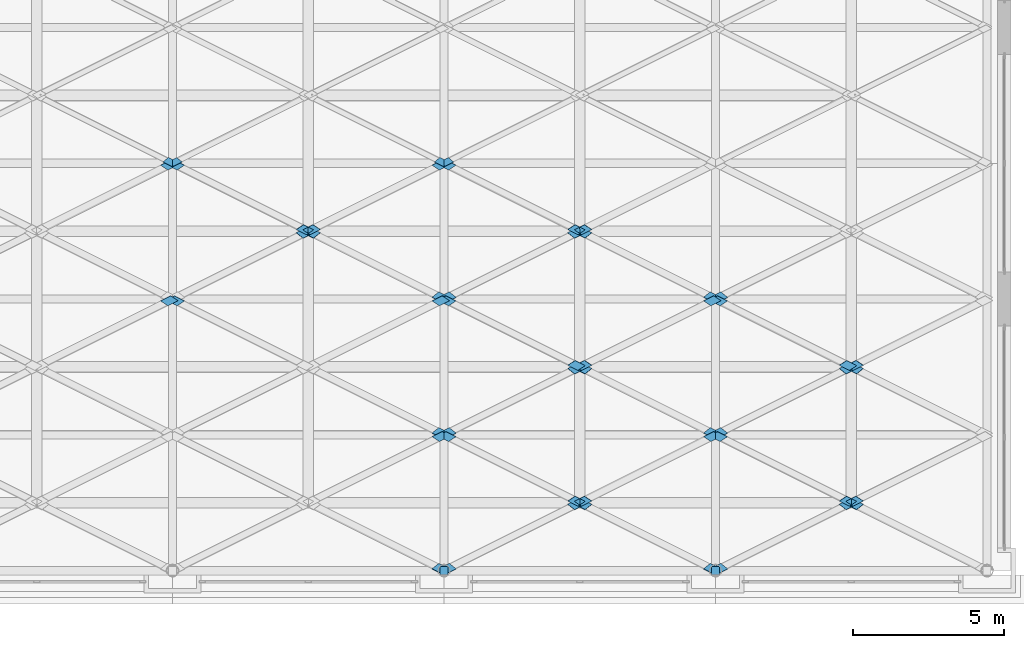
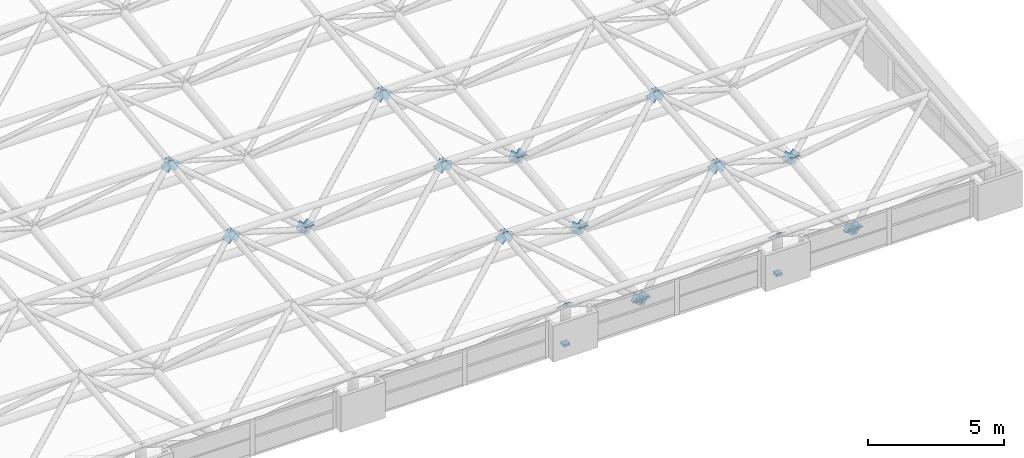
# One storey, part 44 of 53: 56 discrete accessories.
"""IFC4 building model written with IfcOpenShell, lengths in metres."""

from ifc_helpers import new_model, si_unit, direction, frame, origin, origin_2d, place, context, subcontext, project, spatial, polyline, rectangle, outline, extrude, material, layer, layer_set, type_object, element, save


model = new_model("IFC4")

# Units and contexts
model_context = context("Model", 3, precision=1e-05, world=origin(), true_north=direction((0.0, 1.0)))
body_context = subcontext(model_context, "Body", "Model", "MODEL_VIEW")
ifc_project = project(units=[si_unit("LENGTHUNIT", "METRE"), si_unit("AREAUNIT", "SQUARE_METRE"), si_unit("VOLUMEUNIT", "CUBIC_METRE"), si_unit("PLANEANGLEUNIT", "RADIAN"), si_unit("MASSUNIT", "GRAM", prefix="KILO")], contexts=[model_context])

# Site, building, storey
site_placement = place(None, origin())
site = spatial("IfcSite", under=ifc_project, at=site_placement, CompositionType="ELEMENT")
building_placement = place(site_placement, origin())
building = spatial("IfcBuilding", under=site, at=building_placement, Name="Aravalli Gate Trade Fair Centre", CompositionType="ELEMENT")
storey_placement = place(building_placement, frame((0.0, 0.0, 25.199951171875)))
storey = spatial("IfcBuildingStorey", under=building, at=storey_placement, Name="ROOF LEVEL 2", CompositionType="ELEMENT", Elevation=25.199951171875)

# Discrete accessories
ifc_material = material(Name="Steel E350", Category="steel")
discrete_accessory_type_1 = type_object("IfcDiscreteAccessoryType", Name="Bearing shoe fixed", PredefinedType="BRACKET", material=ifc_material)
for number, where, z_axis, x_axis, name in (
    (1, (87.0, 46.0, 0.0), (0.0, 0.0, 1.0), (1.0, 0.0, 0.0), "Bearing shoe A10 (fixed)"),
    (2, (96.0, 46.0, 0.0), (0.0, 0.0, 1.0), (1.0, 0.0, 0.0), "Bearing shoe A11 (fixed)"),
):
    element("IfcDiscreteAccessory", number, at=place(storey_placement, frame(where, z_axis=z_axis, x_axis=x_axis)), inside=storey, type_object=discrete_accessory_type_1, Name=name, PredefinedType="BRACKET", context=body_context, shape_type="SweptSolid", body=[
        extrude(rectangle(XDim=0.260009765625, YDim=0.260009765625, at=origin_2d()), origin(), (0.0, 0.0, 1.0), 0.10009765625),
    ])
ifc_layer_1 = layer(ifc_material, 0.011962890625)
ifc_layer_set_1 = layer_set([ifc_layer_1], Name="Steel E350")
discrete_accessory_type_2 = type_object("IfcDiscreteAccessoryType", Name="Gusset plate 291 x 291 x 12", PredefinedType="USERDEFINED", material=ifc_layer_set_1)
for number, where, z_axis, x_axis, name in (
    (3, (78.138916015625, 59.691650390625, 2.92724609375), (-6.9765199e-05, 0.771154883137, 0.636647580178), (-0.786484474244, -0.393242254842, 0.476238071536), "Gusset plate Space frame web diagonal D2A end A"),
    (4, (87.138916015625, 59.691650390625, 2.92724609375), (-6.9765199e-05, 0.771154883137, 0.636647580178), (-0.786484474244, -0.393242254842, 0.476238071536), "Gusset plate Space frame web diagonal D2A end A"),
):
    element("IfcDiscreteAccessory", number, at=place(storey_placement, frame(where, z_axis=z_axis, x_axis=x_axis)), inside=storey, type_object=discrete_accessory_type_2, Name=name, ObjectType="GUSSET PLATE", PredefinedType="USERDEFINED", context=body_context, shape_type="SweptSolid", body=[
        extrude(outline(polyline([(0.0, 0.0), (0.37064165383501635, -1.3877787807814457e-17), (0.3706783195979393, 0.29059144692340316), (0.00022867857401766278, 0.2904406632211646), (0.0, 0.0)])), origin(), (0.0, 0.0, -1.0), 0.011962890625),
    ])
for number, where, z_axis, x_axis, name in (
    (5, (77.681884765625, 59.546142578125, 3.103515625), (6.9765199e-05, 0.771154883137, 0.636647580178), (0.786233023991, -0.393446013556, 0.476484906794), "Gusset plate Space frame web diagonal D2B end A"),
    (6, (86.681884765625, 59.546142578125, 3.103515625), (6.9765199e-05, 0.771154883137, 0.636647580178), (0.786233023991, -0.393446013556, 0.476484906794), "Gusset plate Space frame web diagonal D2B end A"),
):
    element("IfcDiscreteAccessory", number, at=place(storey_placement, frame(where, z_axis=z_axis, x_axis=x_axis)), inside=storey, type_object=discrete_accessory_type_2, Name=name, ObjectType="GUSSET PLATE", PredefinedType="USERDEFINED", context=body_context, shape_type="SweptSolid", body=[
        extrude(outline(polyline([(0.0, 0.0), (0.37044967171058096, 2.7755575615628914e-17), (0.3702947268495056, 0.290591407927876), (-0.0003468962829482891, 0.29044054608337494), (0.0, 0.0)])), origin(), (0.0, 0.0, -1.0), 0.011962890625),
    ])
ifc_layer_2 = layer(ifc_material, 0.011962890625)
ifc_layer_set_2 = layer_set([ifc_layer_2], Name="Steel E350")
discrete_accessory_type_3 = type_object("IfcDiscreteAccessoryType", Name="Gusset plate 367 x 367 x 12", PredefinedType="USERDEFINED", material=ifc_layer_set_2)
discrete_accessory_1_placement = place(storey_placement, frame((87.173095703125, 46.23876953125, 1.51513671875), z_axis=(-0.000106895173, 0.77673595722, 0.629826358082), x_axis=(-0.783044443413, -0.391795440284, 0.483050445204)))
element("IfcDiscreteAccessory", 7, at=discrete_accessory_1_placement, inside=storey, type_object=discrete_accessory_type_3, Name="Gusset plate Space frame web diagonal D1A end A", ObjectType="GUSSET PLATE", PredefinedType="USERDEFINED", context=body_context, shape_type="SweptSolid", body=[
    extrude(outline(polyline([(0.0, 0.0), (0.4467862821424865, 0.0), (0.4467086389724838, 0.36691841645657763), (-7.764317000273635e-05, 0.36691841645657763), (0.0, 0.0)])), origin(), (0.0, 0.0, -1.0), 0.011962890625),
])
discrete_accessory_2_placement = place(storey_placement, frame((91.0986328125, 48.201416015625, -0.905517578125), z_axis=(-0.000106895173, 0.77673595722, 0.629826358082), x_axis=(0.783044443413, 0.391795440284, -0.483050445204)))
element("IfcDiscreteAccessory", 8, at=discrete_accessory_2_placement, inside=storey, type_object=discrete_accessory_type_3, Name="Gusset plate Space frame web diagonal D1A end B", ObjectType="GUSSET PLATE", PredefinedType="USERDEFINED", context=body_context, shape_type="SweptSolid", body=[
    extrude(outline(polyline([(0.0, 0.0), (0.4467862821424865, 0.0), (0.4468639253124893, -0.3669184164565776), (7.764317000273635e-05, -0.36691841645657763), (0.0, 0.0)])), origin(), (0.0, 0.0, -1.0), 0.011962890625),
])
discrete_accessory_3_placement = place(storey_placement, frame((96.173095703125, 46.23876953125, 1.51513671875), z_axis=(-0.000106895173, 0.77673595722, 0.629826358082), x_axis=(-0.783044443413, -0.391795440284, 0.483050445204)))
element("IfcDiscreteAccessory", 9, at=discrete_accessory_3_placement, inside=storey, type_object=discrete_accessory_type_3, Name="Gusset plate Space frame web diagonal D1A end A", ObjectType="GUSSET PLATE", PredefinedType="USERDEFINED", context=body_context, shape_type="SweptSolid", body=[
    extrude(outline(polyline([(0.0, 0.0), (0.4467862821424865, 0.0), (0.4467086389724838, 0.36691841645657763), (-7.764317000273635e-05, 0.36691841645657763), (0.0, 0.0)])), origin(), (0.0, 0.0, -1.0), 0.011962890625),
])
discrete_accessory_4_placement = place(storey_placement, frame((100.0986328125, 48.201416015625, -0.905517578125), z_axis=(-0.000106895173, 0.77673595722, 0.629826358082), x_axis=(0.783044443413, 0.391795440284, -0.483050445204)))
element("IfcDiscreteAccessory", 10, at=discrete_accessory_4_placement, inside=storey, type_object=discrete_accessory_type_3, Name="Gusset plate Space frame web diagonal D1A end B", ObjectType="GUSSET PLATE", PredefinedType="USERDEFINED", context=body_context, shape_type="SweptSolid", body=[
    extrude(outline(polyline([(0.0, 0.0), (0.4467862821424865, 0.0), (0.4468639253124893, -0.3669184164565776), (7.764317000273635e-05, -0.36691841645657763), (0.0, 0.0)])), origin(), (0.0, 0.0, -1.0), 0.011962890625),
])
discrete_accessory_5_placement = place(storey_placement, frame((87.173095703125, 50.73876953125, 1.965087890625), z_axis=(-0.000106895173, 0.77673595722, 0.629826358082), x_axis=(-0.783044443413, -0.391795440284, 0.483050445204)))
element("IfcDiscreteAccessory", 11, at=discrete_accessory_5_placement, inside=storey, type_object=discrete_accessory_type_3, Name="Gusset plate Space frame web diagonal D1A end A", ObjectType="GUSSET PLATE", PredefinedType="USERDEFINED", context=body_context, shape_type="SweptSolid", body=[
    extrude(outline(polyline([(0.0, 0.0), (0.4467862821424865, 0.0), (0.4467086389724838, 0.36691841645657763), (-7.764317000273635e-05, 0.36691841645657763), (0.0, 0.0)])), origin(), (0.0, 0.0, -1.0), 0.011962890625),
])
discrete_accessory_6_placement = place(storey_placement, frame((91.0986328125, 52.701416015625, -0.45556640625), z_axis=(-0.000106895173, 0.77673595722, 0.629826358082), x_axis=(0.783044443413, 0.391795440284, -0.483050445204)))
element("IfcDiscreteAccessory", 12, at=discrete_accessory_6_placement, inside=storey, type_object=discrete_accessory_type_3, Name="Gusset plate Space frame web diagonal D1A end B", ObjectType="GUSSET PLATE", PredefinedType="USERDEFINED", context=body_context, shape_type="SweptSolid", body=[
    extrude(outline(polyline([(0.0, 0.0), (0.4467862821424865, 0.0), (0.4468639253124893, -0.3669184164565776), (7.764317000273635e-05, -0.36691841645657763), (0.0, 0.0)])), origin(), (0.0, 0.0, -1.0), 0.011962890625),
])
discrete_accessory_7_placement = place(storey_placement, frame((96.173095703125, 50.73876953125, 1.965087890625), z_axis=(-0.000106895173, 0.77673595722, 0.629826358082), x_axis=(-0.783044443413, -0.391795440284, 0.483050445204)))
element("IfcDiscreteAccessory", 13, at=discrete_accessory_7_placement, inside=storey, type_object=discrete_accessory_type_3, Name="Gusset plate Space frame web diagonal D1A end A", ObjectType="GUSSET PLATE", PredefinedType="USERDEFINED", context=body_context, shape_type="SweptSolid", body=[
    extrude(outline(polyline([(0.0, 0.0), (0.4467862821424865, 0.0), (0.4467086389724838, 0.36691841645657763), (-7.764317000273635e-05, 0.36691841645657763), (0.0, 0.0)])), origin(), (0.0, 0.0, -1.0), 0.011962890625),
])
for number, where, z_axis, x_axis, name in (
    (14, (100.0986328125, 52.701416015625, -0.45556640625), (-0.000106895173, 0.77673595722, 0.629826358082), (0.783044443413, 0.391795440284, -0.483050445204), "Gusset plate Space frame web diagonal D1A end B"),
    (15, (82.0986328125, 57.201416015625, -0.005615234375), (-0.000106895173, 0.77673595722, 0.629826358082), (0.783044443413, 0.391795440284, -0.483050445204), "Gusset plate Space frame web diagonal D1A end B"),
):
    element("IfcDiscreteAccessory", number, at=place(storey_placement, frame(where, z_axis=z_axis, x_axis=x_axis)), inside=storey, type_object=discrete_accessory_type_3, Name=name, ObjectType="GUSSET PLATE", PredefinedType="USERDEFINED", context=body_context, shape_type="SweptSolid", body=[
        extrude(outline(polyline([(0.0, 0.0), (0.4467862821424865, 0.0), (0.4468639253124893, -0.3669184164565776), (7.764317000273635e-05, -0.36691841645657763), (0.0, 0.0)])), origin(), (0.0, 0.0, -1.0), 0.011962890625),
    ])
discrete_accessory_8_placement = place(storey_placement, frame((87.173095703125, 55.23876953125, 2.4150390625), z_axis=(-0.000106895173, 0.77673595722, 0.629826358082), x_axis=(-0.783044443413, -0.391795440284, 0.483050445204)))
element("IfcDiscreteAccessory", 16, at=discrete_accessory_8_placement, inside=storey, type_object=discrete_accessory_type_3, Name="Gusset plate Space frame web diagonal D1A end A", ObjectType="GUSSET PLATE", PredefinedType="USERDEFINED", context=body_context, shape_type="SweptSolid", body=[
    extrude(outline(polyline([(0.0, 0.0), (0.4467862821424865, 0.0), (0.4467086389724838, 0.36691841645657763), (-7.764317000273635e-05, 0.36691841645657763), (0.0, 0.0)])), origin(), (0.0, 0.0, -1.0), 0.011962890625),
])
discrete_accessory_9_placement = place(storey_placement, frame((91.0986328125, 57.201416015625, -0.005615234375), z_axis=(-0.000106895173, 0.77673595722, 0.629826358082), x_axis=(0.783044443413, 0.391795440284, -0.483050445204)))
element("IfcDiscreteAccessory", 17, at=discrete_accessory_9_placement, inside=storey, type_object=discrete_accessory_type_3, Name="Gusset plate Space frame web diagonal D1A end B", ObjectType="GUSSET PLATE", PredefinedType="USERDEFINED", context=body_context, shape_type="SweptSolid", body=[
    extrude(outline(polyline([(0.0, 0.0), (0.4467862821424865, 0.0), (0.4468639253124893, -0.3669184164565776), (7.764317000273635e-05, -0.36691841645657763), (0.0, 0.0)])), origin(), (0.0, 0.0, -1.0), 0.011962890625),
])
discrete_accessory_10_placement = place(storey_placement, frame((96.173095703125, 55.23876953125, 2.4150390625), z_axis=(-0.000106895173, 0.77673595722, 0.629826358082), x_axis=(-0.783044443413, -0.391795440284, 0.483050445204)))
element("IfcDiscreteAccessory", 18, at=discrete_accessory_10_placement, inside=storey, type_object=discrete_accessory_type_3, Name="Gusset plate Space frame web diagonal D1A end A", ObjectType="GUSSET PLATE", PredefinedType="USERDEFINED", context=body_context, shape_type="SweptSolid", body=[
    extrude(outline(polyline([(0.0, 0.0), (0.4467862821424865, 0.0), (0.4467086389724838, 0.36691841645657763), (-7.764317000273635e-05, 0.36691841645657763), (0.0, 0.0)])), origin(), (0.0, 0.0, -1.0), 0.011962890625),
])
for number, where, z_axis, x_axis, name in (
    (19, (86.5986328125, 46.057861328125, 1.73828125), (0.000106895173, 0.77673595722, 0.629826358082), (0.783044443413, -0.391795440284, 0.483050445204), "Gusset plate Space frame web diagonal D1B end A"),
    (20, (95.5986328125, 46.057861328125, 1.73828125), (0.000106895173, 0.77673595722, 0.629826358082), (0.783044443413, -0.391795440284, 0.483050445204), "Gusset plate Space frame web diagonal D1B end A"),
):
    element("IfcDiscreteAccessory", number, at=place(storey_placement, frame(where, z_axis=z_axis, x_axis=x_axis)), inside=storey, type_object=discrete_accessory_type_3, Name=name, ObjectType="GUSSET PLATE", PredefinedType="USERDEFINED", context=body_context, shape_type="SweptSolid", body=[
        extrude(outline(polyline([(0.0, 0.0), (0.4467862821424865, 0.0), (0.4468639253124893, 0.3669184164565776), (7.764317000273635e-05, 0.36691841645657763), (0.0, 0.0)])), origin(), (0.0, 0.0, -1.0), 0.011962890625),
    ])
for number, where, z_axis, x_axis, name in (
    (21, (91.673095703125, 48.0205078125, -0.682373046875), (0.000106895173, 0.77673595722, 0.629826358082), (-0.783044443413, 0.391795440284, -0.483050445204), "Gusset plate Space frame web diagonal D1B end B"),
    (22, (100.673095703125, 48.0205078125, -0.682373046875), (0.000106895173, 0.77673595722, 0.629826358082), (-0.783044443413, 0.391795440284, -0.483050445204), "Gusset plate Space frame web diagonal D1B end B"),
):
    element("IfcDiscreteAccessory", number, at=place(storey_placement, frame(where, z_axis=z_axis, x_axis=x_axis)), inside=storey, type_object=discrete_accessory_type_3, Name=name, ObjectType="GUSSET PLATE", PredefinedType="USERDEFINED", context=body_context, shape_type="SweptSolid", body=[
        extrude(outline(polyline([(0.0, 0.0), (0.4467862821424865, 0.0), (0.4467086389724838, -0.36691841645657763), (-7.764317000273635e-05, -0.36691841645657763), (0.0, 0.0)])), origin(), (0.0, 0.0, -1.0), 0.011962890625),
    ])
for number, where, z_axis, x_axis, name in (
    (23, (86.5986328125, 50.557861328125, 2.188232421875), (0.000106895173, 0.77673595722, 0.629826358082), (0.783044443413, -0.391795440284, 0.483050445204), "Gusset plate Space frame web diagonal D1B end A"),
    (24, (95.5986328125, 50.557861328125, 2.188232421875), (0.000106895173, 0.77673595722, 0.629826358082), (0.783044443413, -0.391795440284, 0.483050445204), "Gusset plate Space frame web diagonal D1B end A"),
):
    element("IfcDiscreteAccessory", number, at=place(storey_placement, frame(where, z_axis=z_axis, x_axis=x_axis)), inside=storey, type_object=discrete_accessory_type_3, Name=name, ObjectType="GUSSET PLATE", PredefinedType="USERDEFINED", context=body_context, shape_type="SweptSolid", body=[
        extrude(outline(polyline([(0.0, 0.0), (0.4467862821424865, 0.0), (0.4468639253124893, 0.3669184164565776), (7.764317000273635e-05, 0.36691841645657763), (0.0, 0.0)])), origin(), (0.0, 0.0, -1.0), 0.011962890625),
    ])
for number, where, z_axis, x_axis, name in (
    (25, (91.673095703125, 52.5205078125, -0.232421875), (0.000106895173, 0.77673595722, 0.629826358082), (-0.783044443413, 0.391795440284, -0.483050445204), "Gusset plate Space frame web diagonal D1B end B"),
    (26, (100.673095703125, 52.5205078125, -0.232421875), (0.000106895173, 0.77673595722, 0.629826358082), (-0.783044443413, 0.391795440284, -0.483050445204), "Gusset plate Space frame web diagonal D1B end B"),
):
    element("IfcDiscreteAccessory", number, at=place(storey_placement, frame(where, z_axis=z_axis, x_axis=x_axis)), inside=storey, type_object=discrete_accessory_type_3, Name=name, ObjectType="GUSSET PLATE", PredefinedType="USERDEFINED", context=body_context, shape_type="SweptSolid", body=[
        extrude(outline(polyline([(0.0, 0.0), (0.4467862821424865, 0.0), (0.4467086389724838, -0.36691841645657763), (-7.764317000273635e-05, -0.36691841645657763), (0.0, 0.0)])), origin(), (0.0, 0.0, -1.0), 0.011962890625),
    ])
discrete_accessory_11_placement = place(storey_placement, frame((86.5986328125, 55.057861328125, 2.63818359375), z_axis=(0.000106895173, 0.77673595722, 0.629826358082), x_axis=(0.783044443413, -0.391795440284, 0.483050445204)))
element("IfcDiscreteAccessory", 27, at=discrete_accessory_11_placement, inside=storey, type_object=discrete_accessory_type_3, Name="Gusset plate Space frame web diagonal D1B end A", ObjectType="GUSSET PLATE", PredefinedType="USERDEFINED", context=body_context, shape_type="SweptSolid", body=[
    extrude(outline(polyline([(0.0, 0.0), (0.4467862821424865, 0.0), (0.4468639253124893, 0.3669184164565776), (7.764317000273635e-05, 0.36691841645657763), (0.0, 0.0)])), origin(), (0.0, 0.0, -1.0), 0.011962890625),
])
discrete_accessory_12_placement = place(storey_placement, frame((82.673095703125, 57.0205078125, 0.217529296875), z_axis=(0.000106895173, 0.77673595722, 0.629826358082), x_axis=(-0.783044443413, 0.391795440284, -0.483050445204)))
element("IfcDiscreteAccessory", 28, at=discrete_accessory_12_placement, inside=storey, type_object=discrete_accessory_type_3, Name="Gusset plate Space frame web diagonal D1B end B", ObjectType="GUSSET PLATE", PredefinedType="USERDEFINED", context=body_context, shape_type="SweptSolid", body=[
    extrude(outline(polyline([(0.0, 0.0), (0.4467862821424865, 0.0), (0.4467086389724838, -0.36691841645657763), (-7.764317000273635e-05, -0.36691841645657763), (0.0, 0.0)])), origin(), (0.0, 0.0, -1.0), 0.011962890625),
])
discrete_accessory_13_placement = place(storey_placement, frame((95.5986328125, 55.057861328125, 2.63818359375), z_axis=(0.000106895173, 0.77673595722, 0.629826358082), x_axis=(0.783044443413, -0.391795440284, 0.483050445204)))
element("IfcDiscreteAccessory", 29, at=discrete_accessory_13_placement, inside=storey, type_object=discrete_accessory_type_3, Name="Gusset plate Space frame web diagonal D1B end A", ObjectType="GUSSET PLATE", PredefinedType="USERDEFINED", context=body_context, shape_type="SweptSolid", body=[
    extrude(outline(polyline([(0.0, 0.0), (0.4467862821424865, 0.0), (0.4468639253124893, 0.3669184164565776), (7.764317000273635e-05, 0.36691841645657763), (0.0, 0.0)])), origin(), (0.0, 0.0, -1.0), 0.011962890625),
])
discrete_accessory_14_placement = place(storey_placement, frame((91.673095703125, 57.0205078125, 0.217529296875), z_axis=(0.000106895173, 0.77673595722, 0.629826358082), x_axis=(-0.783044443413, 0.391795440284, -0.483050445204)))
element("IfcDiscreteAccessory", 30, at=discrete_accessory_14_placement, inside=storey, type_object=discrete_accessory_type_3, Name="Gusset plate Space frame web diagonal D1B end B", ObjectType="GUSSET PLATE", PredefinedType="USERDEFINED", context=body_context, shape_type="SweptSolid", body=[
    extrude(outline(polyline([(0.0, 0.0), (0.4467862821424865, 0.0), (0.4467086389724838, -0.36691841645657763), (-7.764317000273635e-05, -0.36691841645657763), (0.0, 0.0)])), origin(), (0.0, 0.0, -1.0), 0.011962890625),
])
discrete_accessory_15_placement = place(storey_placement, frame((87.155517578125, 50.278076171875, 1.9423828125), z_axis=(-0.000292195819, -0.820164189793, 0.572128146837), x_axis=(-0.753132087854, 0.376566043927, 0.539434956975)))
element("IfcDiscreteAccessory", 31, at=discrete_accessory_15_placement, inside=storey, type_object=discrete_accessory_type_3, Name="Gusset plate Space frame web diagonal D1C end A", ObjectType="GUSSET PLATE", PredefinedType="USERDEFINED", context=body_context, shape_type="SweptSolid", body=[
    extrude(outline(polyline([(0.0, 0.0), (0.4467022275054028, -2.7755575615628914e-17), (0.4467362528213333, -0.36669377191730207), (3.402531593046931e-05, -0.366693771917302), (0.0, 0.0)])), origin(), (0.0, 0.0, -1.0), 0.011962890625),
])
discrete_accessory_16_placement = place(storey_placement, frame((91.103271484375, 48.30419921875, -0.886962890625), z_axis=(-0.000292195819, -0.820164189793, 0.572128146837), x_axis=(0.753132087854, -0.376566043927, -0.539434956975)))
element("IfcDiscreteAccessory", 32, at=discrete_accessory_16_placement, inside=storey, type_object=discrete_accessory_type_3, Name="Gusset plate Space frame web diagonal D1C end B", ObjectType="GUSSET PLATE", PredefinedType="USERDEFINED", context=body_context, shape_type="SweptSolid", body=[
    extrude(outline(polyline([(0.0, 0.0), (0.4467022275054028, -2.7755575615628914e-17), (0.4466682021894723, 0.366693771917302), (-3.402531593046931e-05, 0.366693771917302), (0.0, 0.0)])), origin(), (0.0, 0.0, -1.0), 0.011962890625),
])
discrete_accessory_17_placement = place(storey_placement, frame((96.155517578125, 50.278076171875, 1.9423828125), z_axis=(-0.000292195819, -0.820164189793, 0.572128146837), x_axis=(-0.753132087854, 0.376566043927, 0.539434956975)))
element("IfcDiscreteAccessory", 33, at=discrete_accessory_17_placement, inside=storey, type_object=discrete_accessory_type_3, Name="Gusset plate Space frame web diagonal D1C end A", ObjectType="GUSSET PLATE", PredefinedType="USERDEFINED", context=body_context, shape_type="SweptSolid", body=[
    extrude(outline(polyline([(0.0, 0.0), (0.4467022275054028, -2.7755575615628914e-17), (0.4467362528213333, -0.36669377191730207), (3.402531593046931e-05, -0.366693771917302), (0.0, 0.0)])), origin(), (0.0, 0.0, -1.0), 0.011962890625),
])
discrete_accessory_18_placement = place(storey_placement, frame((100.103271484375, 48.30419921875, -0.886962890625), z_axis=(-0.000292195819, -0.820164189793, 0.572128146837), x_axis=(0.753132087854, -0.376566043927, -0.539434956975)))
element("IfcDiscreteAccessory", 34, at=discrete_accessory_18_placement, inside=storey, type_object=discrete_accessory_type_3, Name="Gusset plate Space frame web diagonal D1C end B", ObjectType="GUSSET PLATE", PredefinedType="USERDEFINED", context=body_context, shape_type="SweptSolid", body=[
    extrude(outline(polyline([(0.0, 0.0), (0.4467022275054028, -2.7755575615628914e-17), (0.4466682021894723, 0.366693771917302), (-3.402531593046931e-05, 0.366693771917302), (0.0, 0.0)])), origin(), (0.0, 0.0, -1.0), 0.011962890625),
])
for number, where, z_axis, x_axis, name in (
    (35, (78.155517578125, 54.778076171875, 2.392333984375), (-4.9126691e-05, -0.820140995503, 0.572161467667), (-0.752910034648, 0.376583216139, 0.539732860821), "Gusset plate Space frame web diagonal D1C end A"),
    (36, (87.155517578125, 54.778076171875, 2.392333984375), (-4.9126691e-05, -0.820140995503, 0.572161467667), (-0.752910034648, 0.376583216139, 0.539732860821), "Gusset plate Space frame web diagonal D1C end A"),
):
    element("IfcDiscreteAccessory", number, at=place(storey_placement, frame(where, z_axis=z_axis, x_axis=x_axis)), inside=storey, type_object=discrete_accessory_type_3, Name=name, ObjectType="GUSSET PLATE", PredefinedType="USERDEFINED", context=body_context, shape_type="SweptSolid", body=[
        extrude(outline(polyline([(0.0, 0.0), (0.4468339673229258, 0.0), (0.4468599899280901, -0.36654297340046177), (0.00015779332313807515, -0.366693732894023), (0.0, 0.0)])), origin(), (0.0, 0.0, -1.0), 0.011962890625),
    ])
discrete_accessory_19_placement = place(storey_placement, frame((91.103271484375, 52.80419921875, -0.436767578125), z_axis=(-4.9126691e-05, -0.820140995503, 0.572161467667), x_axis=(0.752910034648, -0.376583216139, -0.539732860821)))
element("IfcDiscreteAccessory", 37, at=discrete_accessory_19_placement, inside=storey, type_object=discrete_accessory_type_3, Name="Gusset plate Space frame web diagonal D1C end B", ObjectType="GUSSET PLATE", PredefinedType="USERDEFINED", context=body_context, shape_type="SweptSolid", body=[
    extrude(outline(polyline([(0.0, 0.0), (0.4468339673229258, 0.0), (0.44667617399978776, 0.366693732894023), (-2.6022605164321977e-05, 0.3665429734004617), (0.0, 0.0)])), origin(), (0.0, 0.0, -1.0), 0.011962890625),
])
discrete_accessory_20_placement = place(storey_placement, frame((96.155517578125, 54.778076171875, 2.392333984375), z_axis=(-4.9126691e-05, -0.820140995503, 0.572161467667), x_axis=(-0.752910034648, 0.376583216139, 0.539732860821)))
element("IfcDiscreteAccessory", 38, at=discrete_accessory_20_placement, inside=storey, type_object=discrete_accessory_type_3, Name="Gusset plate Space frame web diagonal D1C end A", ObjectType="GUSSET PLATE", PredefinedType="USERDEFINED", context=body_context, shape_type="SweptSolid", body=[
    extrude(outline(polyline([(0.0, 0.0), (0.4468339673229258, 0.0), (0.4468599899280901, -0.36654297340046177), (0.00015779332313807515, -0.366693732894023), (0.0, 0.0)])), origin(), (0.0, 0.0, -1.0), 0.011962890625),
])
discrete_accessory_21_placement = place(storey_placement, frame((100.103271484375, 52.80419921875, -0.436767578125), z_axis=(-4.9126691e-05, -0.820140995503, 0.572161467667), x_axis=(0.752910034648, -0.376583216139, -0.539732860821)))
element("IfcDiscreteAccessory", 39, at=discrete_accessory_21_placement, inside=storey, type_object=discrete_accessory_type_3, Name="Gusset plate Space frame web diagonal D1C end B", ObjectType="GUSSET PLATE", PredefinedType="USERDEFINED", context=body_context, shape_type="SweptSolid", body=[
    extrude(outline(polyline([(0.0, 0.0), (0.4468339673229258, 0.0), (0.44667617399978776, 0.366693732894023), (-2.6022605164321977e-05, 0.3665429734004617), (0.0, 0.0)])), origin(), (0.0, 0.0, -1.0), 0.011962890625),
])
discrete_accessory_22_placement = place(storey_placement, frame((78.155517578125, 59.278076171875, 2.84228515625), z_axis=(-5.6748583e-05, -0.820281851296, 0.571959510117), x_axis=(-0.752910033129, 0.376455016564, 0.539822287904)))
element("IfcDiscreteAccessory", 40, at=discrete_accessory_22_placement, inside=storey, type_object=discrete_accessory_type_3, Name="Gusset plate Space frame web diagonal D1C end A", ObjectType="GUSSET PLATE", PredefinedType="USERDEFINED", context=body_context, shape_type="SweptSolid", body=[
    extrude(outline(polyline([(0.0, 0.0), (0.44683397278152426, 2.7755575615628914e-17), (0.44699177701993154, -0.3666937395408909), (0.0001578042384072914, -0.3666937395408909), (0.0, 0.0)])), origin(), (0.0, 0.0, -1.0), 0.011962890625),
])
discrete_accessory_23_placement = place(storey_placement, frame((82.103271484375, 57.30419921875, 0.01318359375), z_axis=(-5.6748583e-05, -0.820281851296, 0.571959510117), x_axis=(0.752910033129, -0.376455016564, -0.539822287904)))
element("IfcDiscreteAccessory", 41, at=discrete_accessory_23_placement, inside=storey, type_object=discrete_accessory_type_3, Name="Gusset plate Space frame web diagonal D1C end B", ObjectType="GUSSET PLATE", PredefinedType="USERDEFINED", context=body_context, shape_type="SweptSolid", body=[
    extrude(outline(polyline([(0.0, 0.0), (0.44683397278152426, 2.7755575615628914e-17), (0.446676168543117, 0.36669373954089096), (-0.0001578042384072914, 0.3666937395408909), (0.0, 0.0)])), origin(), (0.0, 0.0, -1.0), 0.011962890625),
])
discrete_accessory_24_placement = place(storey_placement, frame((87.155517578125, 59.278076171875, 2.84228515625), z_axis=(-5.6748583e-05, -0.820281851296, 0.571959510117), x_axis=(-0.752910033129, 0.376455016564, 0.539822287904)))
element("IfcDiscreteAccessory", 42, at=discrete_accessory_24_placement, inside=storey, type_object=discrete_accessory_type_3, Name="Gusset plate Space frame web diagonal D1C end A", ObjectType="GUSSET PLATE", PredefinedType="USERDEFINED", context=body_context, shape_type="SweptSolid", body=[
    extrude(outline(polyline([(0.0, 0.0), (0.44683397278152426, 2.7755575615628914e-17), (0.44699177701993154, -0.3666937395408909), (0.0001578042384072914, -0.3666937395408909), (0.0, 0.0)])), origin(), (0.0, 0.0, -1.0), 0.011962890625),
])
discrete_accessory_25_placement = place(storey_placement, frame((91.103271484375, 57.30419921875, 0.01318359375), z_axis=(-5.6748583e-05, -0.820281851296, 0.571959510117), x_axis=(0.752910033129, -0.376455016564, -0.539822287904)))
element("IfcDiscreteAccessory", 43, at=discrete_accessory_25_placement, inside=storey, type_object=discrete_accessory_type_3, Name="Gusset plate Space frame web diagonal D1C end B", ObjectType="GUSSET PLATE", PredefinedType="USERDEFINED", context=body_context, shape_type="SweptSolid", body=[
    extrude(outline(polyline([(0.0, 0.0), (0.44683397278152426, 2.7755575615628914e-17), (0.446676168543117, 0.36669373954089096), (-0.0001578042384072914, 0.3666937395408909), (0.0, 0.0)])), origin(), (0.0, 0.0, -1.0), 0.011962890625),
])
for number, where, z_axis, x_axis, name in (
    (44, (86.603271484375, 50.43603515625, 2.1689453125), (0.000292195819, -0.820164189793, 0.572128146837), (0.753132087854, 0.376566043927, 0.539434956975), "Gusset plate Space frame web diagonal D1D end A"),
    (45, (95.603271484375, 50.43603515625, 2.1689453125), (0.000292195819, -0.820164189793, 0.572128146837), (0.753132087854, 0.376566043927, 0.539434956975), "Gusset plate Space frame web diagonal D1D end A"),
):
    element("IfcDiscreteAccessory", number, at=place(storey_placement, frame(where, z_axis=z_axis, x_axis=x_axis)), inside=storey, type_object=discrete_accessory_type_3, Name=name, ObjectType="GUSSET PLATE", PredefinedType="USERDEFINED", context=body_context, shape_type="SweptSolid", body=[
        extrude(outline(polyline([(0.0, 0.0), (0.4467022275054028, 2.7755575615628914e-17), (0.4466682021894723, -0.366693771917302), (-3.402531593046931e-05, -0.366693771917302), (0.0, 0.0)])), origin(), (0.0, 0.0, -1.0), 0.011962890625),
    ])
for number, where, z_axis, x_axis, name in (
    (46, (91.655517578125, 48.462158203125, -0.660400390625), (0.000292195819, -0.820164189793, 0.572128146837), (-0.753132087854, -0.376566043927, -0.539434956975), "Gusset plate Space frame web diagonal D1D end B"),
    (47, (100.655517578125, 48.462158203125, -0.660400390625), (0.000292195819, -0.820164189793, 0.572128146837), (-0.753132087854, -0.376566043927, -0.539434956975), "Gusset plate Space frame web diagonal D1D end B"),
):
    element("IfcDiscreteAccessory", number, at=place(storey_placement, frame(where, z_axis=z_axis, x_axis=x_axis)), inside=storey, type_object=discrete_accessory_type_3, Name=name, ObjectType="GUSSET PLATE", PredefinedType="USERDEFINED", context=body_context, shape_type="SweptSolid", body=[
        extrude(outline(polyline([(0.0, 0.0), (0.4467022275054028, 2.7755575615628914e-17), (0.4467362528213333, 0.36669377191730207), (3.402531593046931e-05, 0.366693771917302), (0.0, 0.0)])), origin(), (0.0, 0.0, -1.0), 0.011962890625),
    ])
for number, where, z_axis, x_axis, name in (
    (48, (77.603271484375, 54.93603515625, 2.618896484375), (4.9126691e-05, -0.820140995503, 0.572161467667), (0.753132104741, 0.376437815746, 0.539524423623), "Gusset plate Space frame web diagonal D1D end A"),
    (49, (86.603271484375, 54.93603515625, 2.618896484375), (4.9126691e-05, -0.820140995503, 0.572161467667), (0.753132104741, 0.376437815746, 0.539524423623), "Gusset plate Space frame web diagonal D1D end A"),
    (50, (95.603271484375, 54.93603515625, 2.618896484375), (4.9126691e-05, -0.820140995503, 0.572161467667), (0.753132104741, 0.376437815746, 0.539524423623), "Gusset plate Space frame web diagonal D1D end A"),
):
    element("IfcDiscreteAccessory", number, at=place(storey_placement, frame(where, z_axis=z_axis, x_axis=x_axis)), inside=storey, type_object=discrete_accessory_type_3, Name=name, ObjectType="GUSSET PLATE", PredefinedType="USERDEFINED", context=body_context, shape_type="SweptSolid", body=[
        extrude(outline(polyline([(0.0, 0.0), (0.4467022220451944, 0.0), (0.44679990563841726, -0.3665429613078707), (-3.4036236763179684e-05, -0.3666937652647241), (0.0, 0.0)])), origin(), (0.0, 0.0, -1.0), 0.011962890625),
    ])
for number, where, z_axis, x_axis, name in (
    (51, (91.655517578125, 52.962158203125, -0.21044921875), (4.9126691e-05, -0.820140995503, 0.572161467667), (-0.753132104741, -0.376437815746, -0.539524423623), "Gusset plate Space frame web diagonal D1D end B"),
    (52, (100.655517578125, 52.962158203125, -0.21044921875), (4.9126691e-05, -0.820140995503, 0.572161467667), (-0.753132104741, -0.376437815746, -0.539524423623), "Gusset plate Space frame web diagonal D1D end B"),
):
    element("IfcDiscreteAccessory", number, at=place(storey_placement, frame(where, z_axis=z_axis, x_axis=x_axis)), inside=storey, type_object=discrete_accessory_type_3, Name=name, ObjectType="GUSSET PLATE", PredefinedType="USERDEFINED", context=body_context, shape_type="SweptSolid", body=[
        extrude(outline(polyline([(0.0, 0.0), (0.4467022220451944, 0.0), (0.44673625828195757, 0.3666937652647241), (-9.768359322287479e-05, 0.3665429613078708), (0.0, 0.0)])), origin(), (0.0, 0.0, -1.0), 0.011962890625),
    ])
for number, where, z_axis, x_axis, name in (
    (53, (77.603271484375, 59.43603515625, 3.06884765625), (5.6748583e-05, -0.820281851296, 0.571959510117), (0.752910033129, 0.376455016564, 0.539822287904), "Gusset plate Space frame web diagonal D1D end A"),
    (54, (86.603271484375, 59.43603515625, 3.06884765625), (5.6748583e-05, -0.820281851296, 0.571959510117), (0.752910033129, 0.376455016564, 0.539822287904), "Gusset plate Space frame web diagonal D1D end A"),
):
    element("IfcDiscreteAccessory", number, at=place(storey_placement, frame(where, z_axis=z_axis, x_axis=x_axis)), inside=storey, type_object=discrete_accessory_type_3, Name=name, ObjectType="GUSSET PLATE", PredefinedType="USERDEFINED", context=body_context, shape_type="SweptSolid", body=[
        extrude(outline(polyline([(0.0, 0.0), (0.44683397278152426, -2.7755575615628914e-17), (0.446676168543117, -0.36669373954089096), (-0.0001578042384072914, -0.3666937395408909), (0.0, 0.0)])), origin(), (0.0, 0.0, -1.0), 0.011962890625),
    ])
for number, where, z_axis, x_axis, name in (
    (55, (82.655517578125, 57.462158203125, 0.23974609375), (5.6748583e-05, -0.820281851296, 0.571959510117), (-0.752910033129, -0.376455016564, -0.539822287904), "Gusset plate Space frame web diagonal D1D end B"),
    (56, (91.655517578125, 57.462158203125, 0.23974609375), (5.6748583e-05, -0.820281851296, 0.571959510117), (-0.752910033129, -0.376455016564, -0.539822287904), "Gusset plate Space frame web diagonal D1D end B"),
):
    element("IfcDiscreteAccessory", number, at=place(storey_placement, frame(where, z_axis=z_axis, x_axis=x_axis)), inside=storey, type_object=discrete_accessory_type_3, Name=name, ObjectType="GUSSET PLATE", PredefinedType="USERDEFINED", context=body_context, shape_type="SweptSolid", body=[
        extrude(outline(polyline([(0.0, 0.0), (0.44683397278152426, -2.7755575615628914e-17), (0.44699177701993154, 0.3666937395408909), (0.0001578042384072914, 0.3666937395408909), (0.0, 0.0)])), origin(), (0.0, 0.0, -1.0), 0.011962890625),
    ])

save(model, "model.ifc")
